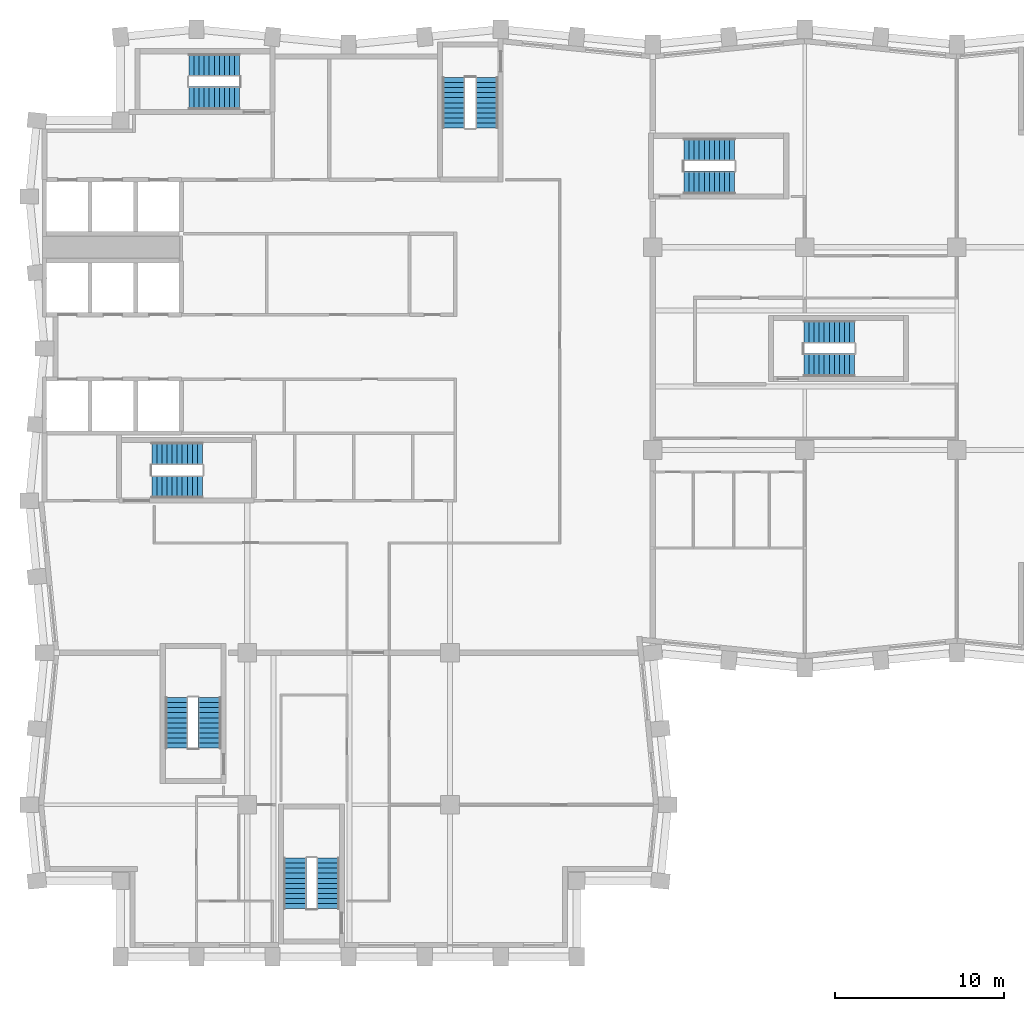
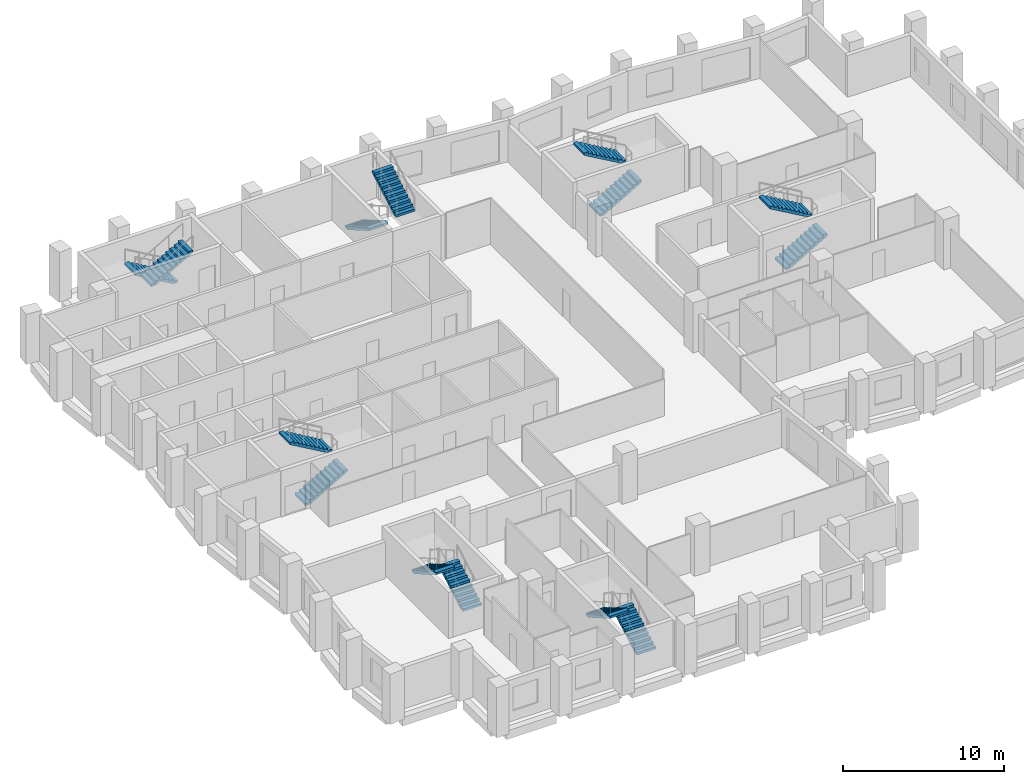
# One storey, part 8 of 10: 14 stair flights, 7 elements without a shape of their own.
"""IFC4 building model written with IfcOpenShell, lengths in metres."""

from ifc_helpers import new_model, si_unit, direction, frame, origin, place, context, subcontext, project, spatial, polyline, outline, extrude, material, type_object, element, aggregate, save


model = new_model("IFC4")

# Units and contexts
model_context = context("Model", 3, precision=1e-05, world=origin(), true_north=direction((0.0, 1.0)))
body_context = subcontext(model_context, "Body", "Model", "MODEL_VIEW")
ifc_project = project(units=[si_unit("LENGTHUNIT", "METRE"), si_unit("AREAUNIT", "SQUARE_METRE"), si_unit("VOLUMEUNIT", "CUBIC_METRE"), si_unit("PLANEANGLEUNIT", "RADIAN"), si_unit("MASSUNIT", "GRAM", prefix="KILO")], contexts=[model_context])

# Site, building, storey
site_placement = place(None, origin())
site = spatial("IfcSite", under=ifc_project, at=site_placement, CompositionType="ELEMENT")
building_placement = place(site_placement, origin())
building = spatial("IfcBuilding", under=site, at=building_placement, Name="Brondeck Convention Tower", CompositionType="ELEMENT")
storey_placement = place(building_placement, frame((0.0, 0.0, 151.0)))
storey = spatial("IfcBuildingStorey", under=building, at=storey_placement, Name="L36", CompositionType="ELEMENT", Elevation=151.0)

# Stair, stair flights
ifc_material = material(Name="Precast concrete C50/60", Category="concrete")
stair_type = type_object("IfcStairType", Name="Core stair 22 risers 172.73 mm riser 300 mm going 1350 wide", PredefinedType="HALF_TURN_STAIR", material=ifc_material)
stair_1_placement = place(storey_placement, origin())
stair_1 = element("IfcStair", 1, at=stair_1_placement, inside=storey, type_object=stair_type, Name="ST-1 L36 stair", PredefinedType="HALF_TURN_STAIR")
stair_flight_type = type_object("IfcStairFlightType", Name="Core stair flight 22 risers 172.73 mm riser 300 mm going 1350 wide", PredefinedType="STRAIGHT", material=ifc_material)
stair_flight_1_placement = place(storey_placement, frame((6.35009765625, 36.824951171875, 0.0), z_axis=(0.0, 0.0, 1.0), x_axis=(1.0, 0.0, 0.0)))
stair_flight_1 = element("IfcStairFlight", 2, at=stair_flight_1_placement, type_object=stair_flight_type, Name="ST-1 flight 1", NumberOfRisers=11, NumberOfTreads=10, PredefinedType="STRAIGHT", RiserHeight=0.172727273, TreadLength=0.3, context=body_context, shape_type="SweptSolid", body=[
    extrude(outline(polyline([(0.0, 0.0), (0.0, 0.172607421875), (0.300048828125, 0.172607421875), (0.300048828125, 0.345458984375), (0.60009765625, 0.345458984375), (0.60009765625, 0.51806640625), (0.89990234375, 0.51806640625), (0.89990234375, 0.69091796875), (1.199951171875, 0.69091796875), (1.199951171875, 0.863525390625), (1.5, 0.863525390625), (1.5, 1.036376953125), (1.800048828125, 1.036376953125), (1.800048828125, 1.208984375), (2.10009765625, 1.208984375), (2.10009765625, 1.3818359375), (2.39990234375, 1.3818359375), (2.39990234375, 1.554443359375), (2.699951171875, 1.554443359375), (2.699951171875, 1.727294921875), (3.0, 1.727294921875), (3.0, 1.89990234375), (3.0, 1.55419921875), (0.300537109375, 0.0), (0.0, 0.0)])), frame((0.0, 0.675048828125, 0.0), z_axis=(0.0, -1.0, 0.0), x_axis=(1.0, 0.0, 0.0)), (0.0, 0.0, 1.0), 1.35009765625),
])
stair_flight_2_placement = place(storey_placement, frame((9.35009765625, 38.77490234375, 1.89990234375), z_axis=(0.0, 0.0, 1.0), x_axis=(-1.0, 0.0, 0.0)))
stair_flight_2 = element("IfcStairFlight", 3, at=stair_flight_2_placement, type_object=stair_flight_type, Name="ST-1 flight 2", NumberOfRisers=11, NumberOfTreads=10, PredefinedType="STRAIGHT", RiserHeight=0.172727273, TreadLength=0.3, context=body_context, shape_type="SweptSolid", body=[
    extrude(outline(polyline([(0.0, 0.0), (0.0, 0.172607421875), (0.300048828125, 0.172607421875), (0.300048828125, 0.345458984375), (0.60009765625, 0.345458984375), (0.60009765625, 0.51806640625), (0.89990234375, 0.51806640625), (0.89990234375, 0.69091796875), (1.199951171875, 0.69091796875), (1.199951171875, 0.863525390625), (1.5, 0.863525390625), (1.5, 1.036376953125), (1.800048828125, 1.036376953125), (1.800048828125, 1.208984375), (2.10009765625, 1.208984375), (2.10009765625, 1.3818359375), (2.39990234375, 1.3818359375), (2.39990234375, 1.554443359375), (2.699951171875, 1.554443359375), (2.699951171875, 1.727294921875), (3.0, 1.727294921875), (3.0, 1.89990234375), (3.0, 1.55419921875), (0.300537109375, 0.0), (0.0, 0.0)])), frame((0.0, 0.675048828125, 0.0), z_axis=(0.0, -1.0, 0.0), x_axis=(1.0, 0.0, 0.0)), (0.0, 0.0, 1.0), 1.35009765625),
])
aggregate(stair_1, [stair_flight_1, stair_flight_2])

stair_2_placement = place(storey_placement, origin())
stair_2 = element("IfcStair", 4, at=stair_2_placement, inside=storey, type_object=stair_type, Name="ST-2 L36 stair", PredefinedType="HALF_TURN_STAIR")
stair_flight_3_placement = place(storey_placement, frame((24.22509765625, 61.050048828125, 0.0), z_axis=(0.0, 0.0, 1.0), x_axis=(0.0, -1.0, 0.0)))
stair_flight_3 = element("IfcStairFlight", 5, at=stair_flight_3_placement, type_object=stair_flight_type, Name="ST-2 flight 1", NumberOfRisers=11, NumberOfTreads=10, PredefinedType="STRAIGHT", RiserHeight=0.172727273, TreadLength=0.3, context=body_context, shape_type="SweptSolid", body=[
    extrude(outline(polyline([(0.0, 0.0), (0.0, 0.172607421875), (0.300048828125, 0.172607421875), (0.300048828125, 0.345458984375), (0.60009765625, 0.345458984375), (0.60009765625, 0.51806640625), (0.89990234375, 0.51806640625), (0.89990234375, 0.69091796875), (1.199951171875, 0.69091796875), (1.199951171875, 0.863525390625), (1.5, 0.863525390625), (1.5, 1.036376953125), (1.800048828125, 1.036376953125), (1.800048828125, 1.208984375), (2.10009765625, 1.208984375), (2.10009765625, 1.3818359375), (2.39990234375, 1.3818359375), (2.39990234375, 1.554443359375), (2.699951171875, 1.554443359375), (2.699951171875, 1.727294921875), (3.0, 1.727294921875), (3.0, 1.89990234375), (3.0, 1.55419921875), (0.300537109375, 0.0), (0.0, 0.0)])), frame((0.0, 0.675048828125, 0.0), z_axis=(0.0, -1.0, 0.0), x_axis=(1.0, 0.0, 0.0)), (0.0, 0.0, 1.0), 1.35009765625),
])
stair_flight_4_placement = place(storey_placement, frame((26.175048828125, 58.050048828125, 1.89990234375), z_axis=(0.0, 0.0, 1.0), x_axis=(0.0, 1.0, 0.0)))
stair_flight_4 = element("IfcStairFlight", 6, at=stair_flight_4_placement, type_object=stair_flight_type, Name="ST-2 flight 2", NumberOfRisers=11, NumberOfTreads=10, PredefinedType="STRAIGHT", RiserHeight=0.172727273, TreadLength=0.3, context=body_context, shape_type="SweptSolid", body=[
    extrude(outline(polyline([(0.0, 0.0), (0.0, 0.172607421875), (0.300048828125, 0.172607421875), (0.300048828125, 0.345458984375), (0.60009765625, 0.345458984375), (0.60009765625, 0.51806640625), (0.89990234375, 0.51806640625), (0.89990234375, 0.69091796875), (1.199951171875, 0.69091796875), (1.199951171875, 0.863525390625), (1.5, 0.863525390625), (1.5, 1.036376953125), (1.800048828125, 1.036376953125), (1.800048828125, 1.208984375), (2.10009765625, 1.208984375), (2.10009765625, 1.3818359375), (2.39990234375, 1.3818359375), (2.39990234375, 1.554443359375), (2.699951171875, 1.554443359375), (2.699951171875, 1.727294921875), (3.0, 1.727294921875), (3.0, 1.89990234375), (3.0, 1.55419921875), (0.300537109375, 0.0), (0.0, 0.0)])), frame((0.0, 0.675048828125, 0.0), z_axis=(0.0, -1.0, 0.0), x_axis=(1.0, 0.0, 0.0)), (0.0, 0.0, 1.0), 1.35009765625),
])
aggregate(stair_2, [stair_flight_3, stair_flight_4])

stair_3_placement = place(storey_placement, origin())
stair_3 = element("IfcStair", 7, at=stair_3_placement, inside=storey, type_object=stair_type, Name="ST-3 L36 stair", PredefinedType="HALF_TURN_STAIR")
stair_flight_5_placement = place(storey_placement, frame((11.550048828125, 61.77490234375, 0.0), z_axis=(0.0, 0.0, 1.0), x_axis=(-1.0, 0.0, 0.0)))
stair_flight_5 = element("IfcStairFlight", 8, at=stair_flight_5_placement, type_object=stair_flight_type, Name="ST-3 flight 1", NumberOfRisers=11, NumberOfTreads=10, PredefinedType="STRAIGHT", RiserHeight=0.172727273, TreadLength=0.3, context=body_context, shape_type="SweptSolid", body=[
    extrude(outline(polyline([(0.0, 0.0), (0.0, 0.172607421875), (0.300048828125, 0.172607421875), (0.300048828125, 0.345458984375), (0.60009765625, 0.345458984375), (0.60009765625, 0.51806640625), (0.89990234375, 0.51806640625), (0.89990234375, 0.69091796875), (1.199951171875, 0.69091796875), (1.199951171875, 0.863525390625), (1.5, 0.863525390625), (1.5, 1.036376953125), (1.800048828125, 1.036376953125), (1.800048828125, 1.208984375), (2.10009765625, 1.208984375), (2.10009765625, 1.3818359375), (2.39990234375, 1.3818359375), (2.39990234375, 1.554443359375), (2.699951171875, 1.554443359375), (2.699951171875, 1.727294921875), (3.0, 1.727294921875), (3.0, 1.89990234375), (3.0, 1.55419921875), (0.300537109375, 0.0), (0.0, 0.0)])), frame((0.0, 0.675048828125, 0.0), z_axis=(0.0, -1.0, 0.0), x_axis=(1.0, 0.0, 0.0)), (0.0, 0.0, 1.0), 1.35009765625),
])
stair_flight_6_placement = place(storey_placement, frame((8.550048828125, 59.824951171875, 1.89990234375), z_axis=(0.0, 0.0, 1.0), x_axis=(1.0, 0.0, 0.0)))
stair_flight_6 = element("IfcStairFlight", 9, at=stair_flight_6_placement, type_object=stair_flight_type, Name="ST-3 flight 2", NumberOfRisers=11, NumberOfTreads=10, PredefinedType="STRAIGHT", RiserHeight=0.172727273, TreadLength=0.3, context=body_context, shape_type="SweptSolid", body=[
    extrude(outline(polyline([(0.0, 0.0), (0.0, 0.172607421875), (0.300048828125, 0.172607421875), (0.300048828125, 0.345458984375), (0.60009765625, 0.345458984375), (0.60009765625, 0.51806640625), (0.89990234375, 0.51806640625), (0.89990234375, 0.69091796875), (1.199951171875, 0.69091796875), (1.199951171875, 0.863525390625), (1.5, 0.863525390625), (1.5, 1.036376953125), (1.800048828125, 1.036376953125), (1.800048828125, 1.208984375), (2.10009765625, 1.208984375), (2.10009765625, 1.3818359375), (2.39990234375, 1.3818359375), (2.39990234375, 1.554443359375), (2.699951171875, 1.554443359375), (2.699951171875, 1.727294921875), (3.0, 1.727294921875), (3.0, 1.89990234375), (3.0, 1.55419921875), (0.300537109375, 0.0), (0.0, 0.0)])), frame((0.0, 0.675048828125, 0.0), z_axis=(0.0, -1.0, 0.0), x_axis=(1.0, 0.0, 0.0)), (0.0, 0.0, 1.0), 1.35009765625),
])
aggregate(stair_3, [stair_flight_5, stair_flight_6])

stair_4_placement = place(storey_placement, origin())
stair_4 = element("IfcStair", 10, at=stair_4_placement, inside=storey, type_object=stair_type, Name="ST-AE L36 stair", PredefinedType="HALF_TURN_STAIR")
stair_flight_7_placement = place(storey_placement, frame((37.85009765625, 54.824951171875, 0.0), z_axis=(0.0, 0.0, 1.0), x_axis=(1.0, 0.0, 0.0)))
stair_flight_7 = element("IfcStairFlight", 11, at=stair_flight_7_placement, type_object=stair_flight_type, Name="ST-AE flight 1", NumberOfRisers=11, NumberOfTreads=10, PredefinedType="STRAIGHT", RiserHeight=0.172727273, TreadLength=0.3, context=body_context, shape_type="SweptSolid", body=[
    extrude(outline(polyline([(0.0, 0.0), (0.0, 0.172607421875), (0.300048828125, 0.172607421875), (0.300048828125, 0.345458984375), (0.60009765625, 0.345458984375), (0.60009765625, 0.51806640625), (0.89990234375, 0.51806640625), (0.89990234375, 0.69091796875), (1.199951171875, 0.69091796875), (1.199951171875, 0.863525390625), (1.5, 0.863525390625), (1.5, 1.036376953125), (1.800048828125, 1.036376953125), (1.800048828125, 1.208984375), (2.10009765625, 1.208984375), (2.10009765625, 1.3818359375), (2.39990234375, 1.3818359375), (2.39990234375, 1.554443359375), (2.699951171875, 1.554443359375), (2.699951171875, 1.727294921875), (3.0, 1.727294921875), (3.0, 1.89990234375), (3.0, 1.55419921875), (0.300537109375, 0.0), (0.0, 0.0)])), frame((0.0, 0.675048828125, 0.0), z_axis=(0.0, -1.0, 0.0), x_axis=(1.0, 0.0, 0.0)), (0.0, 0.0, 1.0), 1.35009765625),
])
stair_flight_8_placement = place(storey_placement, frame((40.85009765625, 56.77490234375, 1.89990234375), z_axis=(0.0, 0.0, 1.0), x_axis=(-1.0, 0.0, 0.0)))
stair_flight_8 = element("IfcStairFlight", 12, at=stair_flight_8_placement, type_object=stair_flight_type, Name="ST-AE flight 2", NumberOfRisers=11, NumberOfTreads=10, PredefinedType="STRAIGHT", RiserHeight=0.172727273, TreadLength=0.3, context=body_context, shape_type="SweptSolid", body=[
    extrude(outline(polyline([(0.0, 0.0), (0.0, 0.172607421875), (0.300048828125, 0.172607421875), (0.300048828125, 0.345458984375), (0.60009765625, 0.345458984375), (0.60009765625, 0.51806640625), (0.89990234375, 0.51806640625), (0.89990234375, 0.69091796875), (1.199951171875, 0.69091796875), (1.199951171875, 0.863525390625), (1.5, 0.863525390625), (1.5, 1.036376953125), (1.800048828125, 1.036376953125), (1.800048828125, 1.208984375), (2.10009765625, 1.208984375), (2.10009765625, 1.3818359375), (2.39990234375, 1.3818359375), (2.39990234375, 1.554443359375), (2.699951171875, 1.554443359375), (2.699951171875, 1.727294921875), (3.0, 1.727294921875), (3.0, 1.89990234375), (3.0, 1.55419921875), (0.300537109375, 0.0), (0.0, 0.0)])), frame((0.0, 0.675048828125, 0.0), z_axis=(0.0, -1.0, 0.0), x_axis=(1.0, 0.0, 0.0)), (0.0, 0.0, 1.0), 1.35009765625),
])
aggregate(stair_4, [stair_flight_7, stair_flight_8])

stair_5_placement = place(storey_placement, origin())
stair_5 = element("IfcStair", 13, at=stair_5_placement, inside=storey, type_object=stair_type, Name="ST-BE L36 stair", PredefinedType="HALF_TURN_STAIR")
stair_flight_9_placement = place(storey_placement, frame((9.77490234375, 21.35009765625, 0.0), z_axis=(0.0, 0.0, 1.0), x_axis=(0.0, 1.0, 0.0)))
stair_flight_9 = element("IfcStairFlight", 14, at=stair_flight_9_placement, type_object=stair_flight_type, Name="ST-BE flight 1", NumberOfRisers=11, NumberOfTreads=10, PredefinedType="STRAIGHT", RiserHeight=0.172727273, TreadLength=0.3, context=body_context, shape_type="SweptSolid", body=[
    extrude(outline(polyline([(0.0, 0.0), (0.0, 0.172607421875), (0.300048828125, 0.172607421875), (0.300048828125, 0.345458984375), (0.60009765625, 0.345458984375), (0.60009765625, 0.51806640625), (0.89990234375, 0.51806640625), (0.89990234375, 0.69091796875), (1.199951171875, 0.69091796875), (1.199951171875, 0.863525390625), (1.5, 0.863525390625), (1.5, 1.036376953125), (1.800048828125, 1.036376953125), (1.800048828125, 1.208984375), (2.10009765625, 1.208984375), (2.10009765625, 1.3818359375), (2.39990234375, 1.3818359375), (2.39990234375, 1.554443359375), (2.699951171875, 1.554443359375), (2.699951171875, 1.727294921875), (3.0, 1.727294921875), (3.0, 1.89990234375), (3.0, 1.55419921875), (0.300537109375, 0.0), (0.0, 0.0)])), frame((0.0, 0.675048828125, 0.0), z_axis=(0.0, -1.0, 0.0), x_axis=(1.0, 0.0, 0.0)), (0.0, 0.0, 1.0), 1.35009765625),
])
stair_flight_10_placement = place(storey_placement, frame((7.824951171875, 24.35009765625, 1.89990234375), z_axis=(0.0, 0.0, 1.0), x_axis=(0.0, -1.0, 0.0)))
stair_flight_10 = element("IfcStairFlight", 15, at=stair_flight_10_placement, type_object=stair_flight_type, Name="ST-BE flight 2", NumberOfRisers=11, NumberOfTreads=10, PredefinedType="STRAIGHT", RiserHeight=0.172727273, TreadLength=0.3, context=body_context, shape_type="SweptSolid", body=[
    extrude(outline(polyline([(0.0, 0.0), (0.0, 0.172607421875), (0.300048828125, 0.172607421875), (0.300048828125, 0.345458984375), (0.60009765625, 0.345458984375), (0.60009765625, 0.51806640625), (0.89990234375, 0.51806640625), (0.89990234375, 0.69091796875), (1.199951171875, 0.69091796875), (1.199951171875, 0.863525390625), (1.5, 0.863525390625), (1.5, 1.036376953125), (1.800048828125, 1.036376953125), (1.800048828125, 1.208984375), (2.10009765625, 1.208984375), (2.10009765625, 1.3818359375), (2.39990234375, 1.3818359375), (2.39990234375, 1.554443359375), (2.699951171875, 1.554443359375), (2.699951171875, 1.727294921875), (3.0, 1.727294921875), (3.0, 1.89990234375), (3.0, 1.55419921875), (0.300537109375, 0.0), (0.0, 0.0)])), frame((0.0, 0.675048828125, 0.0), z_axis=(0.0, -1.0, 0.0), x_axis=(1.0, 0.0, 0.0)), (0.0, 0.0, 1.0), 1.35009765625),
])
aggregate(stair_5, [stair_flight_9, stair_flight_10])

stair_6_placement = place(storey_placement, origin())
stair_6 = element("IfcStair", 16, at=stair_6_placement, inside=storey, type_object=stair_type, Name="ST-AF L36 stair", PredefinedType="HALF_TURN_STAIR")
stair_flight_11_placement = place(storey_placement, frame((44.949951171875, 44.02490234375, 0.0), z_axis=(0.0, 0.0, 1.0), x_axis=(1.0, 0.0, 0.0)))
stair_flight_11 = element("IfcStairFlight", 17, at=stair_flight_11_placement, type_object=stair_flight_type, Name="ST-AF flight 1", NumberOfRisers=11, NumberOfTreads=10, PredefinedType="STRAIGHT", RiserHeight=0.172727273, TreadLength=0.3, context=body_context, shape_type="SweptSolid", body=[
    extrude(outline(polyline([(0.0, 0.0), (0.0, 0.172607421875), (0.300048828125, 0.172607421875), (0.300048828125, 0.345458984375), (0.60009765625, 0.345458984375), (0.60009765625, 0.51806640625), (0.89990234375, 0.51806640625), (0.89990234375, 0.69091796875), (1.199951171875, 0.69091796875), (1.199951171875, 0.863525390625), (1.5, 0.863525390625), (1.5, 1.036376953125), (1.800048828125, 1.036376953125), (1.800048828125, 1.208984375), (2.10009765625, 1.208984375), (2.10009765625, 1.3818359375), (2.39990234375, 1.3818359375), (2.39990234375, 1.554443359375), (2.699951171875, 1.554443359375), (2.699951171875, 1.727294921875), (3.0, 1.727294921875), (3.0, 1.89990234375), (3.0, 1.55419921875), (0.300537109375, 0.0), (0.0, 0.0)])), frame((0.0, 0.675048828125, 0.0), z_axis=(0.0, -1.0, 0.0), x_axis=(1.0, 0.0, 0.0)), (0.0, 0.0, 1.0), 1.35009765625),
])
stair_flight_12_placement = place(storey_placement, frame((47.949951171875, 45.97509765625, 1.89990234375), z_axis=(0.0, 0.0, 1.0), x_axis=(-1.0, 0.0, 0.0)))
stair_flight_12 = element("IfcStairFlight", 18, at=stair_flight_12_placement, type_object=stair_flight_type, Name="ST-AF flight 2", NumberOfRisers=11, NumberOfTreads=10, PredefinedType="STRAIGHT", RiserHeight=0.172727273, TreadLength=0.3, context=body_context, shape_type="SweptSolid", body=[
    extrude(outline(polyline([(0.0, 0.0), (0.0, 0.172607421875), (0.300048828125, 0.172607421875), (0.300048828125, 0.345458984375), (0.60009765625, 0.345458984375), (0.60009765625, 0.51806640625), (0.89990234375, 0.51806640625), (0.89990234375, 0.69091796875), (1.199951171875, 0.69091796875), (1.199951171875, 0.863525390625), (1.5, 0.863525390625), (1.5, 1.036376953125), (1.800048828125, 1.036376953125), (1.800048828125, 1.208984375), (2.10009765625, 1.208984375), (2.10009765625, 1.3818359375), (2.39990234375, 1.3818359375), (2.39990234375, 1.554443359375), (2.699951171875, 1.554443359375), (2.699951171875, 1.727294921875), (3.0, 1.727294921875), (3.0, 1.89990234375), (3.0, 1.55419921875), (0.300537109375, 0.0), (0.0, 0.0)])), frame((0.0, 0.675048828125, 0.0), z_axis=(0.0, -1.0, 0.0), x_axis=(1.0, 0.0, 0.0)), (0.0, 0.0, 1.0), 1.35009765625),
])
aggregate(stair_6, [stair_flight_11, stair_flight_12])

stair_7_placement = place(storey_placement, origin())
stair_7 = element("IfcStair", 19, at=stair_7_placement, inside=storey, type_object=stair_type, Name="ST-BF L36 stair", PredefinedType="HALF_TURN_STAIR")
stair_flight_13_placement = place(storey_placement, frame((16.77490234375, 11.85009765625, 0.0), z_axis=(0.0, 0.0, 1.0), x_axis=(0.0, 1.0, 0.0)))
stair_flight_13 = element("IfcStairFlight", 20, at=stair_flight_13_placement, type_object=stair_flight_type, Name="ST-BF flight 1", NumberOfRisers=11, NumberOfTreads=10, PredefinedType="STRAIGHT", RiserHeight=0.172727273, TreadLength=0.3, context=body_context, shape_type="SweptSolid", body=[
    extrude(outline(polyline([(0.0, 0.0), (0.0, 0.172607421875), (0.300048828125, 0.172607421875), (0.300048828125, 0.345458984375), (0.60009765625, 0.345458984375), (0.60009765625, 0.51806640625), (0.89990234375, 0.51806640625), (0.89990234375, 0.69091796875), (1.199951171875, 0.69091796875), (1.199951171875, 0.863525390625), (1.5, 0.863525390625), (1.5, 1.036376953125), (1.800048828125, 1.036376953125), (1.800048828125, 1.208984375), (2.10009765625, 1.208984375), (2.10009765625, 1.3818359375), (2.39990234375, 1.3818359375), (2.39990234375, 1.554443359375), (2.699951171875, 1.554443359375), (2.699951171875, 1.727294921875), (3.0, 1.727294921875), (3.0, 1.89990234375), (3.0, 1.55419921875), (0.300537109375, 0.0), (0.0, 0.0)])), frame((0.0, 0.675048828125, 0.0), z_axis=(0.0, -1.0, 0.0), x_axis=(1.0, 0.0, 0.0)), (0.0, 0.0, 1.0), 1.35009765625),
])
stair_flight_14_placement = place(storey_placement, frame((14.824951171875, 14.85009765625, 1.89990234375), z_axis=(0.0, 0.0, 1.0), x_axis=(0.0, -1.0, 0.0)))
stair_flight_14 = element("IfcStairFlight", 21, at=stair_flight_14_placement, type_object=stair_flight_type, Name="ST-BF flight 2", NumberOfRisers=11, NumberOfTreads=10, PredefinedType="STRAIGHT", RiserHeight=0.172727273, TreadLength=0.3, context=body_context, shape_type="SweptSolid", body=[
    extrude(outline(polyline([(0.0, 0.0), (0.0, 0.172607421875), (0.300048828125, 0.172607421875), (0.300048828125, 0.345458984375), (0.60009765625, 0.345458984375), (0.60009765625, 0.51806640625), (0.89990234375, 0.51806640625), (0.89990234375, 0.69091796875), (1.199951171875, 0.69091796875), (1.199951171875, 0.863525390625), (1.5, 0.863525390625), (1.5, 1.036376953125), (1.800048828125, 1.036376953125), (1.800048828125, 1.208984375), (2.10009765625, 1.208984375), (2.10009765625, 1.3818359375), (2.39990234375, 1.3818359375), (2.39990234375, 1.554443359375), (2.699951171875, 1.554443359375), (2.699951171875, 1.727294921875), (3.0, 1.727294921875), (3.0, 1.89990234375), (3.0, 1.55419921875), (0.300537109375, 0.0), (0.0, 0.0)])), frame((0.0, 0.675048828125, 0.0), z_axis=(0.0, -1.0, 0.0), x_axis=(1.0, 0.0, 0.0)), (0.0, 0.0, 1.0), 1.35009765625),
])
aggregate(stair_7, [stair_flight_13, stair_flight_14])

save(model, "model.ifc")
